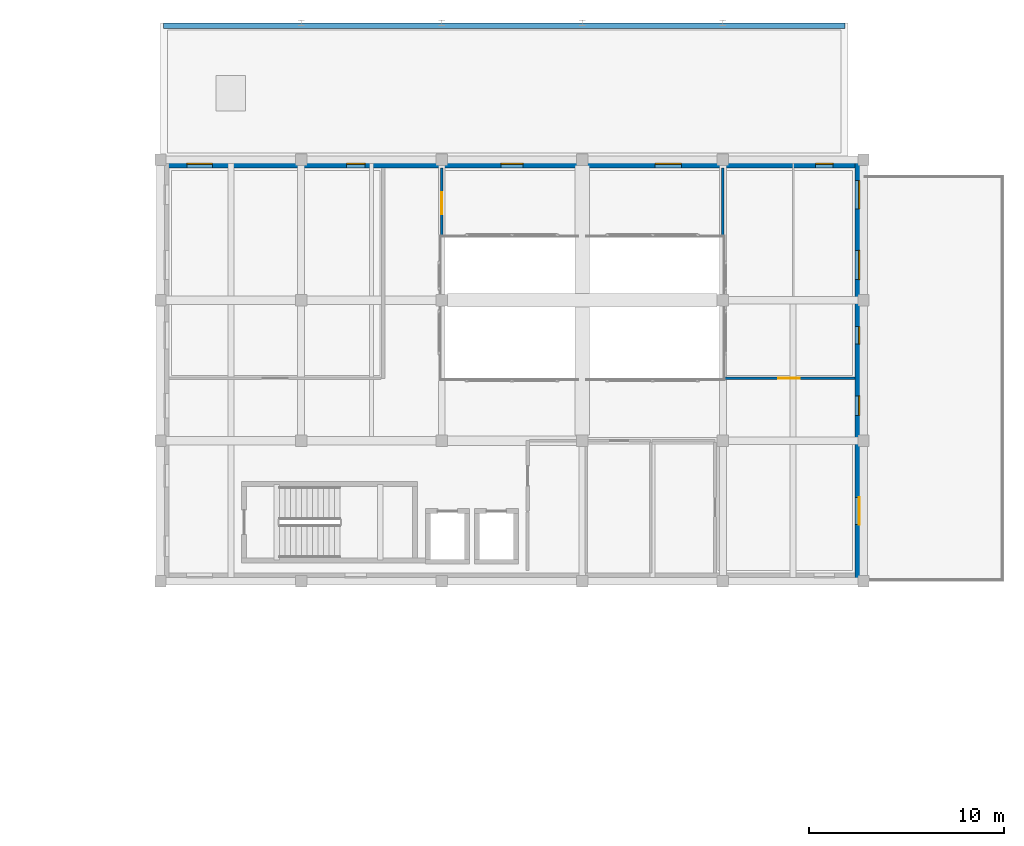
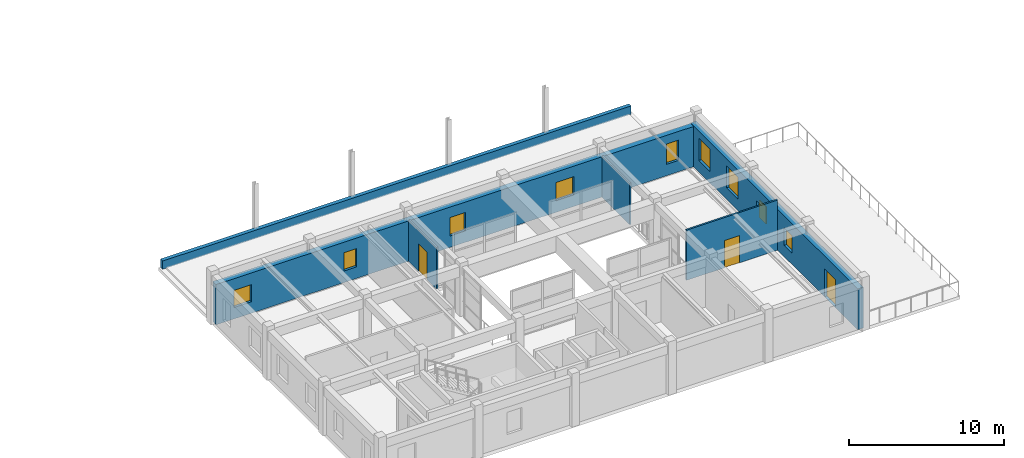
# One storey, part 87 of 99: 9 windows, 6 walls, 3 doors, 12 openings.
"""IFC4 building model written with IfcOpenShell, lengths in metres."""

from ifc_helpers import new_model, si_unit, direction, frame, frame_2d, origin, place, context, subcontext, project, spatial, rectangle, extrude, material, layer, layer_set, type_object, element, fill, save


model = new_model("IFC4")

# Units and contexts
model_context = context("Model", 3, precision=1e-05, world=origin(), true_north=direction((0.0, 1.0)))
body_context = subcontext(model_context, "Body", "Model", "MODEL_VIEW")
ifc_project = project(units=[si_unit("LENGTHUNIT", "METRE"), si_unit("AREAUNIT", "SQUARE_METRE"), si_unit("VOLUMEUNIT", "CUBIC_METRE"), si_unit("PLANEANGLEUNIT", "RADIAN"), si_unit("MASSUNIT", "GRAM", prefix="KILO")], contexts=[model_context])

# Site, building, storey
site_placement = place(None, origin())
site = spatial("IfcSite", under=ifc_project, at=site_placement, CompositionType="ELEMENT")
building_placement = place(site_placement, origin())
building = spatial("IfcBuilding", under=site, at=building_placement, Name="Bramveld Media Centre", CompositionType="ELEMENT")
storey_placement = place(building_placement, frame((0.0, 0.0, 13.800048828125)))
storey = spatial("IfcBuildingStorey", under=building, at=storey_placement, Name="L03", CompositionType="ELEMENT", Elevation=13.800048828125)

# Wall, openings, door, windows
ifc_material_1 = material(Name="Flemish red-brown clay facing brick cavity wall with concrete C35/45 inner leaf", Category="masonry")
ifc_layer_1 = layer(ifc_material_1, 0.419921875)
ifc_layer_set_1 = layer_set([ifc_layer_1], Name="Flemish red-brown clay facing brick cavity wall with concrete C35/45 inner leaf")
wall_type_1 = type_object("IfcWallType", Name="EW-BRK-420", PredefinedType="SOLIDWALL", material=ifc_layer_set_1)
wall_1_placement = place(storey_placement, frame((101.389892578125, 112.0, 0.0), z_axis=(0.0, 0.0, 1.0), x_axis=(0.0, -1.0, 0.0)))
wall_1 = element("IfcWall", 1, at=wall_1_placement, inside=storey, type_object=wall_type_1, Name="V6 L03 E facing brick exterior wall", PredefinedType="SOLIDWALL", context=body_context, shape_type="SweptSolid", body=[
    extrude(rectangle(XDim=21.60009765625, YDim=0.419921875, at=frame_2d((10.800048828125, 0.0))), origin(), (0.0, 0.0, 1.0), 3.21484375),
])
opening_1_placement = place(wall_1_placement, frame((17.300048828125, 0.0, 0.0)))
opening_1 = element("IfcOpeningElement", 2, at=opening_1_placement, cuts=wall_1, Name="Opening TD-08", PredefinedType="OPENING", context=body_context, shape_type="SweptSolid", body=[
    extrude(rectangle(XDim=1.39990234375, YDim=2.199951171875, at=frame_2d((0.699951171875, 1.10009765625))), frame((0.0, 0.221923828125, 0.0), z_axis=(0.0, -1.0, 0.0), x_axis=(1.0, 0.0, 0.0)), (0.0, 0.0, 1.0), 0.44384765625),
])
opening_2_placement = place(wall_1_placement, frame((1.080078125, 0.0, 0.89990234375)))
opening_2 = element("IfcOpeningElement", 3, at=opening_2_placement, cuts=wall_1, Name="Opening W-23", PredefinedType="OPENING", context=body_context, shape_type="SweptSolid", body=[
    extrude(rectangle(XDim=1.43994140625, YDim=1.75, at=frame_2d((0.719970703125, 0.875))), frame((0.0, 0.221923828125, 0.0), z_axis=(0.0, -1.0, 0.0), x_axis=(1.0, 0.0, 0.0)), (0.0, 0.0, 1.0), 0.44384765625),
])
opening_3_placement = place(wall_1_placement, frame((4.64990234375, 0.0, 0.89990234375)))
opening_3 = element("IfcOpeningElement", 4, at=opening_3_placement, cuts=wall_1, Name="Opening W-24", PredefinedType="OPENING", context=body_context, shape_type="SweptSolid", body=[
    extrude(rectangle(XDim=1.5, YDim=1.75, at=frame_2d((0.75, 0.875))), frame((0.0, 0.221923828125, 0.0), z_axis=(0.0, -1.0, 0.0), x_axis=(1.0, 0.0, 0.0)), (0.0, 0.0, 1.0), 0.44384765625),
])
opening_4_placement = place(wall_1_placement, frame((8.550048828125, 0.0, 0.89990234375)))
opening_4 = element("IfcOpeningElement", 5, at=opening_4_placement, cuts=wall_1, Name="Opening W-01", PredefinedType="OPENING", context=body_context, shape_type="SweptSolid", body=[
    extrude(rectangle(XDim=0.89990234375, YDim=1.35009765625, at=frame_2d((0.449951171875, 0.675048828125))), frame((0.0, 0.221923828125, 0.0), z_axis=(0.0, -1.0, 0.0), x_axis=(1.0, 0.0, 0.0)), (0.0, 0.0, 1.0), 0.44384765625),
])
opening_5_placement = place(wall_1_placement, frame((12.10009765625, 0.0, 0.89990234375)))
opening_5 = element("IfcOpeningElement", 6, at=opening_5_placement, cuts=wall_1, Name="Opening W-02", PredefinedType="OPENING", context=body_context, shape_type="SweptSolid", body=[
    extrude(rectangle(XDim=1.0, YDim=1.35009765625, at=frame_2d((0.5, 0.675048828125))), frame((0.0, 0.221923828125, 0.0), z_axis=(0.0, -1.0, 0.0), x_axis=(1.0, 0.0, 0.0)), (0.0, 0.0, 1.0), 0.44384765625),
])
ifc_material_2 = material(Name="Insulated powder-coated bronze aluminium & laminated safety glass door", Category="aluminium")
door_type_1 = type_object("IfcDoorType", Name="DR-TER-1400", OperationType="NOTDEFINED", PredefinedType="DOOR", material=ifc_material_2)
door_1_placement = place(opening_1_placement, origin())
door_1 = element("IfcDoor", 7, at=door_1_placement, inside=storey, type_object=door_type_1, Name="Exterior door TD-08", OperationType="SINGLE_SWING_RIGHT", OverallHeight=2.199951171875, OverallWidth=1.39990234375, PredefinedType="DOOR", context=body_context, shape_type="SweptSolid", body=[
    extrude(rectangle(XDim=1.39990234375, YDim=2.199951171875, at=frame_2d((0.699951171875, 1.10009765625))), frame((0.0, 0.02490234375, 0.0), z_axis=(0.0, -1.0, 0.0), x_axis=(1.0, 0.0, 0.0)), (0.0, 0.0, 1.0), 0.050048828125),
])
fill(opening_1, door_1)
ifc_material_3 = material(Name="Thermally broken anodized bronze aluminium frame with triple acoustic glazing", Category="aluminium")
window_type_1 = type_object("IfcWindowType", Name="WIN-FAC-01", PartitioningType="SINGLE_PANEL", PredefinedType="WINDOW", material=ifc_material_3)
window_1_placement = place(opening_4_placement, origin())
window_1 = element("IfcWindow", 8, at=window_1_placement, inside=storey, type_object=window_type_1, Name="V6 L03 E acoustic facade window", OverallHeight=1.35009765625, OverallWidth=0.89990234375, PartitioningType="SINGLE_PANEL", PredefinedType="WINDOW", context=body_context, shape_type="SweptSolid", body=[
    extrude(rectangle(XDim=0.89990234375, YDim=1.35009765625, at=frame_2d((0.449951171875, 0.675048828125))), frame((0.0, 0.030029296875, 0.0), z_axis=(0.0, -1.0, 0.0), x_axis=(1.0, 0.0, 0.0)), (0.0, 0.0, 1.0), 0.06005859375),
])
fill(opening_4, window_1)
ifc_material_4 = material(Name="Thermally broken anodized bronze aluminium frame with triple acoustic glazing", Category="aluminium")
window_type_2 = type_object("IfcWindowType", Name="WIN-FAC-02", PartitioningType="SINGLE_PANEL", PredefinedType="WINDOW", material=ifc_material_4)
window_2_placement = place(opening_5_placement, origin())
window_2 = element("IfcWindow", 9, at=window_2_placement, inside=storey, type_object=window_type_2, Name="V6 L03 E acoustic facade window", OverallHeight=1.35009765625, OverallWidth=1.0, PartitioningType="SINGLE_PANEL", PredefinedType="WINDOW", context=body_context, shape_type="SweptSolid", body=[
    extrude(rectangle(XDim=1.0, YDim=1.35009765625, at=frame_2d((0.5, 0.675048828125))), frame((0.0, 0.030029296875, 0.0), z_axis=(0.0, -1.0, 0.0), x_axis=(1.0, 0.0, 0.0)), (0.0, 0.0, 1.0), 0.06005859375),
])
fill(opening_5, window_2)
ifc_material_5 = material(Name="Thermally broken anodized bronze aluminium frame with triple acoustic glazing", Category="aluminium")
window_type_3 = type_object("IfcWindowType", Name="WIN-FAC-23", PartitioningType="SINGLE_PANEL", PredefinedType="WINDOW", material=ifc_material_5)
window_3_placement = place(opening_2_placement, origin())
window_3 = element("IfcWindow", 10, at=window_3_placement, inside=storey, type_object=window_type_3, Name="V6 L03 E acoustic facade window", OverallHeight=1.75, OverallWidth=1.43994140625, PartitioningType="SINGLE_PANEL", PredefinedType="WINDOW", context=body_context, shape_type="SweptSolid", body=[
    extrude(rectangle(XDim=1.43994140625, YDim=1.75, at=frame_2d((0.719970703125, 0.875))), frame((0.0, 0.030029296875, 0.0), z_axis=(0.0, -1.0, 0.0), x_axis=(1.0, 0.0, 0.0)), (0.0, 0.0, 1.0), 0.06005859375),
])
fill(opening_2, window_3)
ifc_material_6 = material(Name="Thermally broken anodized bronze aluminium frame with triple acoustic glazing", Category="aluminium")
window_type_4 = type_object("IfcWindowType", Name="WIN-FAC-24", PartitioningType="SINGLE_PANEL", PredefinedType="WINDOW", material=ifc_material_6)
window_4_placement = place(opening_3_placement, origin())
window_4 = element("IfcWindow", 11, at=window_4_placement, inside=storey, type_object=window_type_4, Name="V6 L03 E acoustic facade window", OverallHeight=1.75, OverallWidth=1.5, PartitioningType="SINGLE_PANEL", PredefinedType="WINDOW", context=body_context, shape_type="SweptSolid", body=[
    extrude(rectangle(XDim=1.5, YDim=1.75, at=frame_2d((0.75, 0.875))), frame((0.0, 0.030029296875, 0.0), z_axis=(0.0, -1.0, 0.0), x_axis=(1.0, 0.0, 0.0)), (0.0, 0.0, 1.0), 0.06005859375),
])
fill(opening_3, window_4)

# Wall, openings, windows
wall_2_placement = place(storey_placement, frame((65.60009765625, 111.7900390625, 0.0), z_axis=(0.0, 0.0, 1.0), x_axis=(1.0, 0.0, 0.0)))
wall_2 = element("IfcWall", 12, at=wall_2_placement, inside=storey, type_object=wall_type_1, Name="V6 L03 N facing brick exterior wall", PredefinedType="SOLIDWALL", context=body_context, shape_type="SweptSolid", body=[
    extrude(rectangle(XDim=36.0, YDim=0.419921875, at=frame_2d((18.0, 0.0))), origin(), (0.0, 0.0, 1.0), 3.175048828125),
])
opening_6_placement = place(wall_2_placement, frame((1.35009765625, 0.0, 0.89990234375)))
opening_6 = element("IfcOpeningElement", 13, at=opening_6_placement, cuts=wall_2, Name="Opening W-05", PredefinedType="OPENING", context=body_context, shape_type="SweptSolid", body=[
    extrude(rectangle(XDim=1.300048828125, YDim=1.35009765625, at=frame_2d((0.64990234375, 0.675048828125))), frame((0.0, 0.221923828125, 0.0), z_axis=(0.0, -1.0, 0.0), x_axis=(1.0, 0.0, 0.0)), (0.0, 0.0, 1.0), 0.44384765625),
])
opening_7_placement = place(wall_2_placement, frame((9.52490234375, 0.0, 0.89990234375)))
opening_7 = element("IfcOpeningElement", 14, at=opening_7_placement, cuts=wall_2, Name="Opening W-07", PredefinedType="OPENING", context=body_context, shape_type="SweptSolid", body=[
    extrude(rectangle(XDim=0.949951171875, YDim=1.449951171875, at=frame_2d((0.47509765625, 0.72509765625))), frame((0.0, 0.221923828125, 0.0), z_axis=(0.0, -1.0, 0.0), x_axis=(1.0, 0.0, 0.0)), (0.0, 0.0, 1.0), 0.44384765625),
])
opening_8_placement = place(wall_2_placement, frame((17.425048828125, 0.0, 0.89990234375)))
opening_8 = element("IfcOpeningElement", 15, at=opening_8_placement, cuts=wall_2, Name="Opening W-09", PredefinedType="OPENING", context=body_context, shape_type="SweptSolid", body=[
    extrude(rectangle(XDim=1.14990234375, YDim=1.449951171875, at=frame_2d((0.574951171875, 0.72509765625))), frame((0.0, 0.221923828125, 0.0), z_axis=(0.0, -1.0, 0.0), x_axis=(1.0, 0.0, 0.0)), (0.0, 0.0, 1.0), 0.44384765625),
])
opening_9_placement = place(wall_2_placement, frame((25.324951171875, 0.0, 0.89990234375)))
opening_9 = element("IfcOpeningElement", 16, at=opening_9_placement, cuts=wall_2, Name="Opening W-11", PredefinedType="OPENING", context=body_context, shape_type="SweptSolid", body=[
    extrude(rectangle(XDim=1.35009765625, YDim=1.449951171875, at=frame_2d((0.675048828125, 0.72509765625))), frame((0.0, 0.221923828125, 0.0), z_axis=(0.0, -1.0, 0.0), x_axis=(1.0, 0.0, 0.0)), (0.0, 0.0, 1.0), 0.44384765625),
])
opening_10_placement = place(wall_2_placement, frame((33.550048828125, 0.0, 0.89990234375)))
opening_10 = element("IfcOpeningElement", 17, at=opening_10_placement, cuts=wall_2, Name="Opening W-13", PredefinedType="OPENING", context=body_context, shape_type="SweptSolid", body=[
    extrude(rectangle(XDim=0.89990234375, YDim=1.60009765625, at=frame_2d((0.449951171875, 0.800048828125))), frame((0.0, 0.221923828125, 0.0), z_axis=(0.0, -1.0, 0.0), x_axis=(1.0, 0.0, 0.0)), (0.0, 0.0, 1.0), 0.44384765625),
])
ifc_material_7 = material(Name="Thermally broken anodized bronze aluminium frame with triple acoustic glazing", Category="aluminium")
window_type_5 = type_object("IfcWindowType", Name="WIN-FAC-05", PartitioningType="SINGLE_PANEL", PredefinedType="WINDOW", material=ifc_material_7)
window_5_placement = place(opening_6_placement, origin())
window_5 = element("IfcWindow", 18, at=window_5_placement, inside=storey, type_object=window_type_5, Name="V6 L03 N acoustic facade window", OverallHeight=1.35009765625, OverallWidth=1.300048828125, PartitioningType="SINGLE_PANEL", PredefinedType="WINDOW", context=body_context, shape_type="SweptSolid", body=[
    extrude(rectangle(XDim=1.300048828125, YDim=1.35009765625, at=frame_2d((0.64990234375, 0.675048828125))), frame((0.0, 0.030029296875, 0.0), z_axis=(0.0, -1.0, 0.0), x_axis=(1.0, 0.0, 0.0)), (0.0, 0.0, 1.0), 0.06005859375),
])
fill(opening_6, window_5)
ifc_material_8 = material(Name="Thermally broken anodized bronze aluminium frame with triple acoustic glazing", Category="aluminium")
window_type_6 = type_object("IfcWindowType", Name="WIN-FAC-07", PartitioningType="SINGLE_PANEL", PredefinedType="WINDOW", material=ifc_material_8)
window_6_placement = place(opening_7_placement, origin())
window_6 = element("IfcWindow", 19, at=window_6_placement, inside=storey, type_object=window_type_6, Name="V6 L03 N acoustic facade window", OverallHeight=1.449951171875, OverallWidth=0.949951171875, PartitioningType="SINGLE_PANEL", PredefinedType="WINDOW", context=body_context, shape_type="SweptSolid", body=[
    extrude(rectangle(XDim=0.949951171875, YDim=1.449951171875, at=frame_2d((0.47509765625, 0.72509765625))), frame((0.0, 0.030029296875, 0.0), z_axis=(0.0, -1.0, 0.0), x_axis=(1.0, 0.0, 0.0)), (0.0, 0.0, 1.0), 0.06005859375),
])
fill(opening_7, window_6)
ifc_material_9 = material(Name="Thermally broken anodized bronze aluminium frame with triple acoustic glazing", Category="aluminium")
window_type_7 = type_object("IfcWindowType", Name="WIN-FAC-09", PartitioningType="SINGLE_PANEL", PredefinedType="WINDOW", material=ifc_material_9)
window_7_placement = place(opening_8_placement, origin())
window_7 = element("IfcWindow", 20, at=window_7_placement, inside=storey, type_object=window_type_7, Name="V6 L03 N acoustic facade window", OverallHeight=1.449951171875, OverallWidth=1.14990234375, PartitioningType="SINGLE_PANEL", PredefinedType="WINDOW", context=body_context, shape_type="SweptSolid", body=[
    extrude(rectangle(XDim=1.14990234375, YDim=1.449951171875, at=frame_2d((0.574951171875, 0.72509765625))), frame((0.0, 0.030029296875, 0.0), z_axis=(0.0, -1.0, 0.0), x_axis=(1.0, 0.0, 0.0)), (0.0, 0.0, 1.0), 0.06005859375),
])
fill(opening_8, window_7)
ifc_material_10 = material(Name="Thermally broken anodized bronze aluminium frame with triple acoustic glazing", Category="aluminium")
window_type_8 = type_object("IfcWindowType", Name="WIN-FAC-11", PartitioningType="SINGLE_PANEL", PredefinedType="WINDOW", material=ifc_material_10)
window_8_placement = place(opening_9_placement, origin())
window_8 = element("IfcWindow", 21, at=window_8_placement, inside=storey, type_object=window_type_8, Name="V6 L03 N acoustic facade window", OverallHeight=1.449951171875, OverallWidth=1.35009765625, PartitioningType="SINGLE_PANEL", PredefinedType="WINDOW", context=body_context, shape_type="SweptSolid", body=[
    extrude(rectangle(XDim=1.35009765625, YDim=1.449951171875, at=frame_2d((0.675048828125, 0.72509765625))), frame((0.0, 0.030029296875, 0.0), z_axis=(0.0, -1.0, 0.0), x_axis=(1.0, 0.0, 0.0)), (0.0, 0.0, 1.0), 0.06005859375),
])
fill(opening_9, window_8)
ifc_material_11 = material(Name="Thermally broken anodized bronze aluminium frame with triple acoustic glazing", Category="aluminium")
window_type_9 = type_object("IfcWindowType", Name="WIN-FAC-13", PartitioningType="SINGLE_PANEL", PredefinedType="WINDOW", material=ifc_material_11)
window_9_placement = place(opening_10_placement, origin())
window_9 = element("IfcWindow", 22, at=window_9_placement, inside=storey, type_object=window_type_9, Name="V6 L03 N acoustic facade window", OverallHeight=1.60009765625, OverallWidth=0.89990234375, PartitioningType="SINGLE_PANEL", PredefinedType="WINDOW", context=body_context, shape_type="SweptSolid", body=[
    extrude(rectangle(XDim=0.89990234375, YDim=1.60009765625, at=frame_2d((0.449951171875, 0.800048828125))), frame((0.0, 0.030029296875, 0.0), z_axis=(0.0, -1.0, 0.0), x_axis=(1.0, 0.0, 0.0)), (0.0, 0.0, 1.0), 0.06005859375),
])
fill(opening_10, window_9)

# Wall, opening, door
ifc_material_12 = material(Name="Lightweight acoustic stud partition", Category="gypsum")
ifc_layer_2 = layer(ifc_material_12, 0.125)
ifc_layer_set_2 = layer_set([ifc_layer_2], Name="Lightweight acoustic stud partition")
wall_type_2 = type_object("IfcWallType", Name="IW-PART-125", PredefinedType="PARTITIONING", material=ifc_layer_set_2)
wall_3_placement = place(storey_placement, frame((80.0, 108.0, 0.0), z_axis=(0.0, 0.0, 1.0), x_axis=(0.0, 1.0, 0.0)))
wall_3 = element("IfcWall", 23, at=wall_3_placement, inside=storey, type_object=wall_type_2, Name="North Atrium Overlook Gallery partition wall", PredefinedType="PARTITIONING", context=body_context, shape_type="SweptSolid", body=[
    extrude(rectangle(XDim=3.570068359375, YDim=0.125, at=frame_2d((1.78515625, 0.0))), origin(), (0.0, 0.0, 1.0), 3.2548828125),
])
opening_11_placement = place(wall_3_placement, frame((1.195068359375, 0.0, 0.0)))
opening_11 = element("IfcOpeningElement", 24, at=opening_11_placement, cuts=wall_3, Name="Opening D-03-160", PredefinedType="OPENING", context=body_context, shape_type="SweptSolid", body=[
    extrude(rectangle(XDim=1.1201171875, YDim=2.14990234375, at=frame_2d((0.56005859375, 1.074951171875))), frame((0.0, 0.074462890625, 0.0), z_axis=(0.0, -1.0, 0.0), x_axis=(1.0, 0.0, 0.0)), (0.0, 0.0, 1.0), 0.14892578125),
])
ifc_material_13 = material(Name="Solid-core European oak acoustic timber leaf in steel frame", Category="steel")
door_type_2 = type_object("IfcDoorType", Name="DR-RM-1120", OperationType="NOTDEFINED", PredefinedType="DOOR", material=ifc_material_13)
door_2_placement = place(opening_11_placement, origin())
door_2 = element("IfcDoor", 25, at=door_2_placement, inside=storey, type_object=door_type_2, Name="North Atrium Overlook Gallery entrance door", OperationType="SINGLE_SWING_RIGHT", OverallHeight=2.14990234375, OverallWidth=1.1201171875, PredefinedType="DOOR", context=body_context, shape_type="SweptSolid", body=[
    extrude(rectangle(XDim=1.1201171875, YDim=2.14990234375, at=frame_2d((0.56005859375, 1.074951171875))), frame((0.0, 0.02490234375, 0.0), z_axis=(0.0, -1.0, 0.0), x_axis=(1.0, 0.0, 0.0)), (0.0, 0.0, 1.0), 0.050048828125),
])
fill(opening_11, door_2)

# Wall
wall_4_placement = place(storey_placement, frame((94.39990234375, 108.0, 0.0), z_axis=(0.0, 0.0, 1.0), x_axis=(0.0, 1.0, 0.0)))
element("IfcWall", 26, at=wall_4_placement, inside=storey, type_object=wall_type_2, Name="North Atrium Overlook Gallery partition wall", PredefinedType="PARTITIONING", context=body_context, shape_type="SweptSolid", body=[
    extrude(rectangle(XDim=3.570068359375, YDim=0.125, at=frame_2d((1.78515625, 0.0))), origin(), (0.0, 0.0, 1.0), 3.2548828125),
])

# Wall, opening, door
wall_5_placement = place(storey_placement, frame((94.39990234375, 100.800048828125, 0.0), z_axis=(0.0, 0.0, 1.0), x_axis=(1.0, 0.0, 0.0)))
wall_5 = element("IfcWall", 27, at=wall_5_placement, inside=storey, type_object=wall_type_2, Name="Media Conservation Framing Studio partition wall", PredefinedType="PARTITIONING", context=body_context, shape_type="SweptSolid", body=[
    extrude(rectangle(XDim=6.77001953125, YDim=0.125, at=frame_2d((3.385009765625, 0.0))), origin(), (0.0, 0.0, 1.0), 3.9599609375),
])
opening_12_placement = place(wall_5_placement, frame((2.824951171875, 0.0, 0.0)))
opening_12 = element("IfcOpeningElement", 28, at=opening_12_placement, cuts=wall_5, Name="Opening D-03-161", PredefinedType="OPENING", context=body_context, shape_type="SweptSolid", body=[
    extrude(rectangle(XDim=1.1201171875, YDim=2.14990234375, at=frame_2d((0.56005859375, 1.074951171875))), frame((0.0, 0.074462890625, 0.0), z_axis=(0.0, -1.0, 0.0), x_axis=(1.0, 0.0, 0.0)), (0.0, 0.0, 1.0), 0.14892578125),
])
door_3_placement = place(opening_12_placement, origin())
door_3 = element("IfcDoor", 29, at=door_3_placement, inside=storey, type_object=door_type_2, Name="Media Conservation Framing Studio entrance door", OperationType="SINGLE_SWING_LEFT", OverallHeight=2.14990234375, OverallWidth=1.1201171875, PredefinedType="DOOR", context=body_context, shape_type="SweptSolid", body=[
    extrude(rectangle(XDim=1.1201171875, YDim=2.14990234375, at=frame_2d((0.56005859375, 1.074951171875))), frame((0.0, 0.02490234375, 0.0), z_axis=(0.0, -1.0, 0.0), x_axis=(1.0, 0.0, 0.0)), (0.0, 0.0, 1.0), 0.050048828125),
])
fill(opening_12, door_3)

# Wall
ifc_material_14 = material(Name="Flemish brick-faced parapet upstand with Concrete C35/45 core", Category="masonry")
ifc_layer_3 = layer(ifc_material_14, 0.280029296875)
ifc_layer_set_3 = layer_set([ifc_layer_3], Name="Flemish brick-faced parapet upstand with Concrete C35/45 core")
wall_type_3 = type_object("IfcWallType", Name="PARAPET-280", PredefinedType="PARAPET", material=ifc_layer_set_3)
wall_6_placement = place(storey_placement, frame((65.75, 118.860107421875, 0.0), z_axis=(0.0, 0.0, 1.0), x_axis=(1.0, 0.0, 0.0)))
element("IfcWall", 30, at=wall_6_placement, inside=storey, type_object=wall_type_3, Name="V6 L03 roof parapet upstand", PredefinedType="PARAPET", context=body_context, shape_type="SweptSolid", body=[
    extrude(rectangle(XDim=34.89990234375, YDim=0.280029296875, at=frame_2d((17.449951171875, 0.0))), origin(), (0.0, 0.0, 1.0), 0.64990234375),
])

save(model, "model.ifc")
